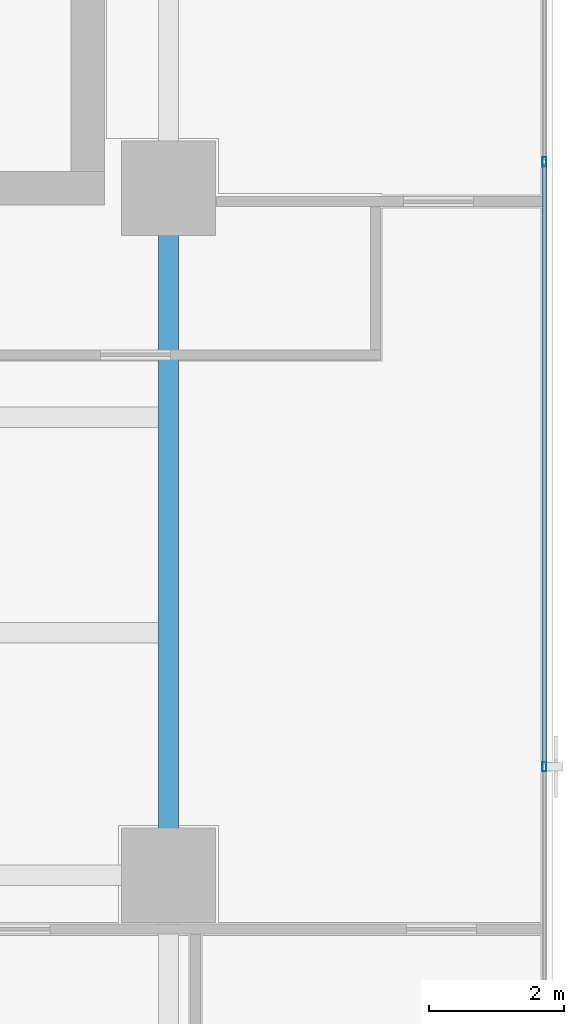
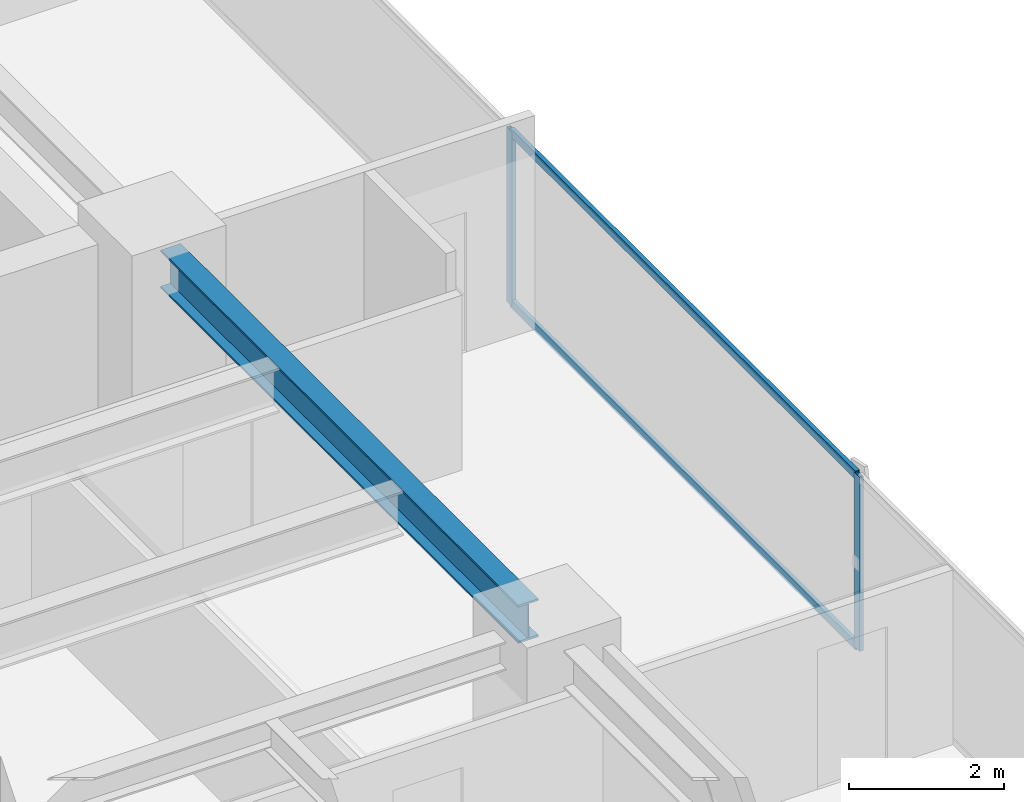
# One storey, part 13 of 26: 4 members, 1 beam, 1 element without a shape of its own.
"""IFC4 building model written with IfcOpenShell, lengths in metres."""

from ifc_helpers import new_model, si_unit, direction, frame, origin, origin_2d, place, context, subcontext, project, spatial, hollow_rectangle, i_section, extrude, source, transform, mapped, material, layer, layer_set, material_profile, profile_set, type_object, element, aggregate, save


model = new_model("IFC4")

# Units and contexts
model_context = context("Model", 3, precision=1e-05, world=origin(), true_north=direction((0.0, 1.0)))
body_context = subcontext(model_context, "Body", "Model", "MODEL_VIEW")
ifc_project = project(units=[si_unit("LENGTHUNIT", "METRE"), si_unit("AREAUNIT", "SQUARE_METRE"), si_unit("VOLUMEUNIT", "CUBIC_METRE"), si_unit("PLANEANGLEUNIT", "RADIAN"), si_unit("MASSUNIT", "GRAM", prefix="KILO")], contexts=[model_context])

# Site, building, storey
site_placement = place(None, origin())
site = spatial("IfcSite", under=ifc_project, at=site_placement, CompositionType="ELEMENT")
building_placement = place(site_placement, origin())
building = spatial("IfcBuilding", under=site, at=building_placement, Name="Sumidabori Civic Tower", CompositionType="ELEMENT")
storey_placement = place(building_placement, frame((0.0, 0.0, 250.39990234375)))
storey = spatial("IfcBuildingStorey", under=building, at=storey_placement, Name="L65", CompositionType="ELEMENT", Elevation=250.39990234375)

# Beam
ifc_material_1 = material(Name="Steel SN490", Category="steel")
ifc_material_profile_1 = material_profile(ifc_material_1, i_section(OverallWidth=0.300048828125, OverallDepth=0.60009765625, WebThickness=0.015380859375, FlangeThickness=0.030029296875, at=origin_2d()), Name="HE 600 B")
ifc_profile_set_1 = profile_set([ifc_material_profile_1], Name="Steel SN490")
beam_type = type_object("IfcBeamType", Name="BM-GIRD-600", PredefinedType="BEAM", material=ifc_profile_set_1)
shared_shape_1 = source(origin(), body_context, "Body", "SweptSolid", [
    extrude(i_section(OverallWidth=0.300048828125, OverallDepth=0.60009765625, WebThickness=0.015380859375, FlangeThickness=0.030029296875, at=origin_2d()), origin(), (0.0, 0.0, 1.0), 9.239990234375),
])
beam_placement = place(storey_placement, frame((16.800048828125, 0.47998046875, 3.070068359375), z_axis=(0.0, 1.0, 0.0), x_axis=(-1.0, 0.0, 0.0)))
element("IfcBeam", 1, at=beam_placement, inside=storey, type_object=beam_type, Name="Primary Girder L65 GY-16", PredefinedType="BEAM", context=body_context, shape_type="MappedRepresentation", body=[
    mapped(shared_shape_1, transform((0.0, 0.0, 0.0), x_axis=(1.0, 0.0, 0.0), y_axis=(0.0, 1.0, 0.0), z_axis=(0.0, 0.0, 1.0), scale=1.0)),
])

# Curtain wall, members
ifc_material_2 = material(Name="Anodised Bronze Aluminium AW-6063-T6", Category="aluminium")
ifc_layer = layer(ifc_material_2, 0.179931640625, Name="Anodised Bronze Aluminium AW-6063-T6")
ifc_layer_set = layer_set([ifc_layer], Name="Anodised Bronze Aluminium AW-6063-T6")
curtain_wall_type = type_object("IfcCurtainWallType", Name="CW-SYS-5", PredefinedType="NOTDEFINED", material=ifc_layer_set)
curtain_wall_placement = place(storey_placement, origin())
curtain_wall = element("IfcCurtainWall", 2, at=curtain_wall_placement, inside=storey, type_object=curtain_wall_type, Name="Curtain Wall CW:L65:R04", PredefinedType="NOTDEFINED")
ifc_material_profile_2 = material_profile(ifc_material_2, hollow_rectangle(XDim=0.06005859375, YDim=0.139892578125, WallThickness=0.0048828125, at=origin_2d()), Name="ALU MULLION 140x60")
ifc_profile_set_2 = profile_set([ifc_material_profile_2], Name="Anodised Bronze Aluminium AW-6063-T6")
member_type_1 = type_object("IfcMemberType", Name="CW-MUL-140", PredefinedType="MULLION", material=ifc_profile_set_2)
shared_shape_2 = source(origin(), body_context, "Body", "SweptSolid", [
    extrude(hollow_rectangle(XDim=0.06005859375, YDim=0.139892578125, WallThickness=0.0048828125, at=origin_2d()), origin(), (0.0, 0.0, 1.0), 2.75),
])
member_1_placement = place(storey_placement, frame((22.3798828125, 1.610107421875, 0.0), z_axis=(0.0, 0.0, 1.0), x_axis=(-1.0, 0.0, 0.0)))
member_1 = element("IfcMember", 3, at=member_1_placement, type_object=member_type_1, Name="CW-5 mullion 2", PredefinedType="MULLION", context=body_context, shape_type="MappedRepresentation", body=[
    mapped(shared_shape_2, transform((0.0, 0.0, 0.0), x_axis=(1.0, 0.0, 0.0), y_axis=(0.0, 1.0, 0.0), z_axis=(0.0, 0.0, 1.0), scale=1.0)),
])
member_2_placement = place(storey_placement, frame((22.3798828125, 10.590087890625, 0.0), z_axis=(0.0, 0.0, 1.0), x_axis=(-1.0, 0.0, 0.0)))
member_2 = element("IfcMember", 4, at=member_2_placement, type_object=member_type_1, Name="CW-5 mullion 3", PredefinedType="MULLION", context=body_context, shape_type="MappedRepresentation", body=[
    mapped(shared_shape_2, transform((0.0, 0.0, 0.0), x_axis=(1.0, 0.0, 0.0), y_axis=(0.0, 1.0, 0.0), z_axis=(0.0, 0.0, 1.0), scale=1.0)),
])
ifc_material_profile_3 = material_profile(ifc_material_2, hollow_rectangle(XDim=0.06005859375, YDim=0.1298828125, WallThickness=0.0048828125, at=origin_2d()), Name="ALU TRANSOM 130x60")
ifc_profile_set_3 = profile_set([ifc_material_profile_3], Name="Anodised Bronze Aluminium AW-6063-T6")
member_type_2 = type_object("IfcMemberType", Name="CW-TRN-130", PredefinedType="USERDEFINED", material=ifc_profile_set_3)
shared_shape_3 = source(origin(), body_context, "Body", "SweptSolid", [
    extrude(hollow_rectangle(XDim=0.06005859375, YDim=0.1298828125, WallThickness=0.0048828125, at=origin_2d()), origin(), (0.0, 0.0, 1.0), 8.920166015625),
])
member_3_placement = place(storey_placement, frame((22.3798828125, 1.639892578125, 0.030029296875), z_axis=(0.0, 1.0, 0.0), x_axis=(-1.0, 0.0, 0.0)))
member_3 = element("IfcMember", 5, at=member_3_placement, type_object=member_type_2, Name="CW-5 transom 2.1", ObjectType="TRANSOM", PredefinedType="USERDEFINED", context=body_context, shape_type="MappedRepresentation", body=[
    mapped(shared_shape_3, transform((0.0, 0.0, 0.0), x_axis=(1.0, 0.0, 0.0), y_axis=(0.0, 1.0, 0.0), z_axis=(0.0, 0.0, 1.0), scale=1.0)),
])
member_4_placement = place(storey_placement, frame((22.3798828125, 1.639892578125, 2.72021484375), z_axis=(0.0, 1.0, 0.0), x_axis=(-1.0, 0.0, 0.0)))
member_4 = element("IfcMember", 6, at=member_4_placement, type_object=member_type_2, Name="CW-5 transom 2.2", ObjectType="TRANSOM", PredefinedType="USERDEFINED", context=body_context, shape_type="MappedRepresentation", body=[
    mapped(shared_shape_3, transform((0.0, 0.0, 0.0), x_axis=(1.0, 0.0, 0.0), y_axis=(0.0, 1.0, 0.0), z_axis=(0.0, 0.0, 1.0), scale=1.0)),
])
aggregate(curtain_wall, [member_1, member_2, member_3, member_4])

save(model, "model.ifc")
